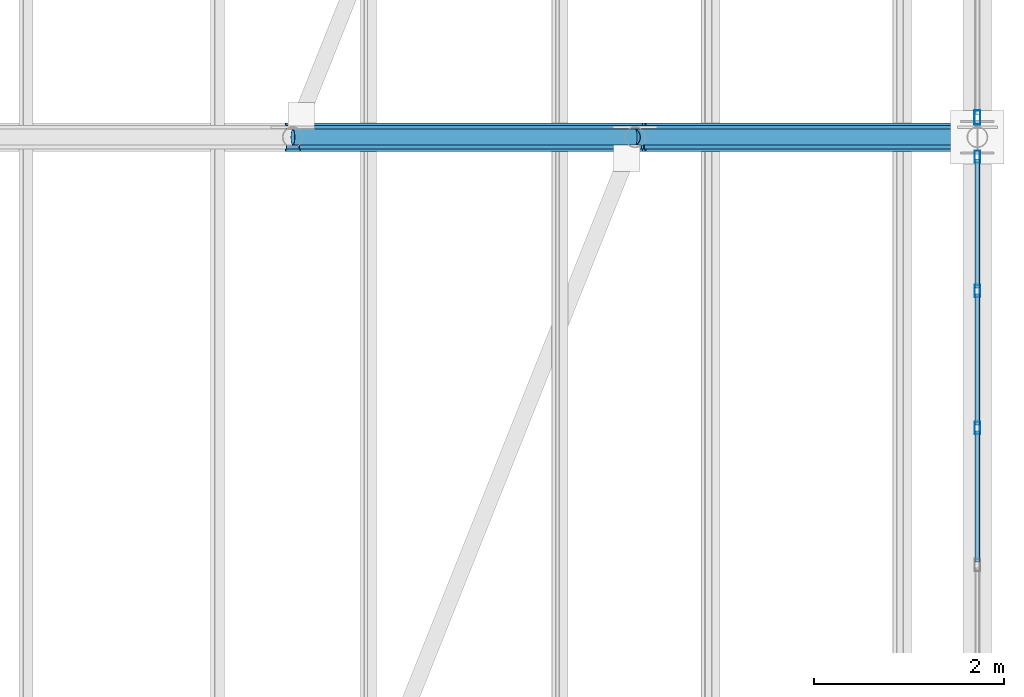
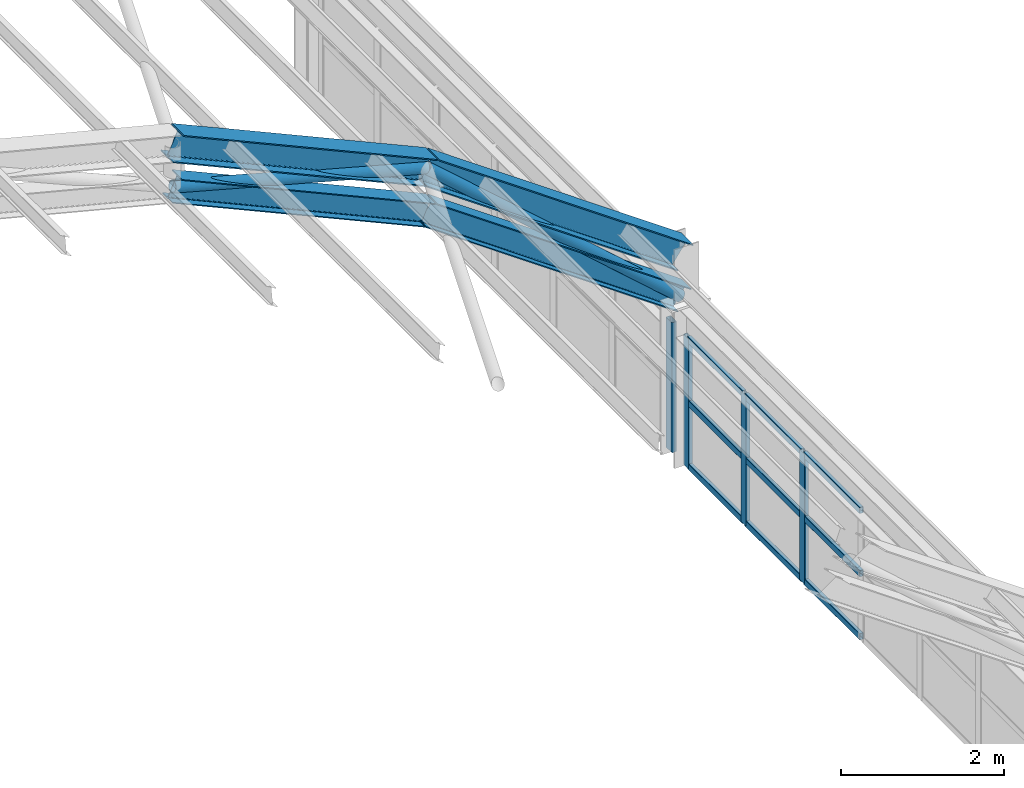
# One storey, part 80 of 121: 17 members, 2 beams, 2 elements without a shape of their own.
"""IFC4 building model written with IfcOpenShell, lengths in metres."""

from ifc_helpers import new_model, si_unit, direction, frame, origin, origin_2d, place, context, subcontext, project, spatial, hollow_rectangle, hollow_circle, i_section, extrude, material, material_profile, profile_set, type_object, element, aggregate, save


model = new_model("IFC4")

# Units and contexts
model_context = context("Model", 3, precision=1e-05, world=origin(), true_north=direction((0.0, 1.0)))
body_context = subcontext(model_context, "Body", "Model", "MODEL_VIEW")
ifc_project = project(units=[si_unit("LENGTHUNIT", "METRE"), si_unit("AREAUNIT", "SQUARE_METRE"), si_unit("VOLUMEUNIT", "CUBIC_METRE"), si_unit("PLANEANGLEUNIT", "RADIAN"), si_unit("MASSUNIT", "GRAM", prefix="KILO")], contexts=[model_context])

# Site, building, storey
site_placement = place(None, origin())
site = spatial("IfcSite", under=ifc_project, at=site_placement, CompositionType="ELEMENT")
building_placement = place(site_placement, origin())
building = spatial("IfcBuilding", under=site, at=building_placement, Name="Canglan Escarpment Cableway Terminal", CompositionType="ELEMENT")
storey_placement = place(building_placement, frame((0.0, 0.0, 24.60009765625)))
storey = spatial("IfcBuildingStorey", under=building, at=storey_placement, Name="L05", CompositionType="ELEMENT", Elevation=24.60009765625)

# Beams
ifc_material_1 = material(Name="Steel Q355B", Category="steel")
ifc_material_profile_1 = material_profile(ifc_material_1, i_section(OverallWidth=0.300048828125, OverallDepth=0.389892578125, WebThickness=0.010009765625, FlangeThickness=0.01611328125, FilletRadius=0.02197265625, at=origin_2d()), Name="HM 390x300x10x16")
ifc_profile_set_1 = profile_set([ifc_material_profile_1], Name="Steel Q355B")
beam_type = type_object("IfcBeamType", Name="BM-ARCH-TOP-HM390", PredefinedType="BEAM", material=ifc_profile_set_1)
beam_1_placement = place(storey_placement, frame((159.199951171875, 115.0, 7.23828125), z_axis=(0.911752518833, 0.0, -0.410739996108), x_axis=(0.0, 1.0, 0.0)))
element("IfcBeam", 1, at=beam_1_placement, inside=storey, type_object=beam_type, Name="Vault ROOF TRUSS arch top chord AR-TC1", PredefinedType="BEAM", context=body_context, shape_type="SweptSolid", body=[
    extrude(i_section(OverallWidth=0.300048828125, OverallDepth=0.389892578125, WebThickness=0.010009765625, FlangeThickness=0.01611328125, FilletRadius=0.02197265625, at=origin_2d()), origin(), (0.0, 0.0, 1.0), 3.948486328125),
])
beam_2_placement = place(storey_placement, frame((162.800048828125, 115.0, 5.616455078125), z_axis=(0.817731009495, 0.0, -0.575600552563), x_axis=(0.0, 1.0, 0.0)))
element("IfcBeam", 2, at=beam_2_placement, inside=storey, type_object=beam_type, Name="Vault ROOF TRUSS arch top chord AR-TC1", PredefinedType="BEAM", context=body_context, shape_type="SweptSolid", body=[
    extrude(i_section(OverallWidth=0.300048828125, OverallDepth=0.389892578125, WebThickness=0.010009765625, FlangeThickness=0.01611328125, FilletRadius=0.02197265625, at=origin_2d()), origin(), (0.0, 0.0, 1.0), 4.40234375),
])

# Curtain wall, members
ifc_material_2 = material(Name="Anodized bronze aluminium and Low-E double glazing", Category="aluminium")
curtain_wall_type = type_object("IfcCurtainWallType", Name="CW-BAY-8650x1950", PredefinedType="NOTDEFINED", material=ifc_material_2)
curtain_wall_1_placement = place(storey_placement, origin())
curtain_wall_1 = element("IfcCurtainWall", 3, at=curtain_wall_1_placement, inside=storey, type_object=curtain_wall_type, Name="Classical bay-between-piers glazed curtain wall CW-66", PredefinedType="NOTDEFINED")
ifc_material_3 = material(Name="Thermally broken anodized aluminium 6063-T6", Category="aluminium")
ifc_material_profile_2 = material_profile(ifc_material_3, hollow_rectangle(XDim=0.06005859375, YDim=0.1298828125, WallThickness=0.0029296875, InnerFilletRadius=0.0029296875, OuterFilletRadius=0.006103515625, at=origin_2d()), Name="ALU-MULL 60x130x3")
ifc_profile_set_2 = profile_set([ifc_material_profile_2], Name="Thermally broken anodized aluminium 6063-T6")
member_type_1 = type_object("IfcMemberType", Name="CWM-01", PredefinedType="MULLION", material=ifc_profile_set_2)
member_1_placement = place(storey_placement, frame((166.39990234375, 111.941650390625, 0.0), z_axis=(0.0, 0.0, 1.0), x_axis=(-1.0, 0.0, 0.0)))
member_1 = element("IfcMember", 4, at=member_1_placement, type_object=member_type_1, Name="CW-66 mullion 5", PredefinedType="MULLION", context=body_context, shape_type="SweptSolid", body=[
    extrude(hollow_rectangle(XDim=0.06005859375, YDim=0.1298828125, WallThickness=0.0029296875, InnerFilletRadius=0.0029296875, OuterFilletRadius=0.006103515625, at=origin_2d()), origin(), (0.0, 0.0, 1.0), 1.949951171875),
])
member_2_placement = place(storey_placement, frame((166.39990234375, 113.38330078125, 0.0), z_axis=(0.0, 0.0, 1.0), x_axis=(-1.0, 0.0, 0.0)))
member_2 = element("IfcMember", 5, at=member_2_placement, type_object=member_type_1, Name="CW-66 mullion 6", PredefinedType="MULLION", context=body_context, shape_type="SweptSolid", body=[
    extrude(hollow_rectangle(XDim=0.06005859375, YDim=0.1298828125, WallThickness=0.0029296875, InnerFilletRadius=0.0029296875, OuterFilletRadius=0.006103515625, at=origin_2d()), origin(), (0.0, 0.0, 1.0), 1.949951171875),
])
member_3_placement = place(storey_placement, frame((166.39990234375, 114.794921875, 0.0), z_axis=(0.0, 0.0, 1.0), x_axis=(-1.0, 0.0, 0.0)))
member_3 = element("IfcMember", 6, at=member_3_placement, type_object=member_type_1, Name="CW-66 mullion 7", PredefinedType="MULLION", context=body_context, shape_type="SweptSolid", body=[
    extrude(hollow_rectangle(XDim=0.06005859375, YDim=0.1298828125, WallThickness=0.0029296875, InnerFilletRadius=0.0029296875, OuterFilletRadius=0.006103515625, at=origin_2d()), origin(), (0.0, 0.0, 1.0), 1.949951171875),
])

# Curtain wall, member
curtain_wall_2_placement = place(storey_placement, origin())
curtain_wall_2 = element("IfcCurtainWall", 7, at=curtain_wall_2_placement, inside=storey, type_object=curtain_wall_type, Name="Classical bay-between-piers glazed curtain wall CW-66", PredefinedType="NOTDEFINED")
ifc_material_profile_3 = material_profile(ifc_material_3, hollow_rectangle(XDim=0.06494140625, YDim=0.14990234375, WallThickness=0.00341796875, InnerFilletRadius=0.00341796875, OuterFilletRadius=0.007080078125, at=origin_2d()), Name="ALU-MULL 65x150x3.5")
ifc_profile_set_3 = profile_set([ifc_material_profile_3], Name="Thermally broken anodized aluminium 6063-T6")
member_type_2 = type_object("IfcMemberType", Name="CWM-02", PredefinedType="MULLION", material=ifc_profile_set_3)
member_4_placement = place(storey_placement, frame((166.39990234375, 115.20751953125, 0.0), z_axis=(0.0, 0.0, 1.0), x_axis=(-1.0, 0.0, 0.0)))
member_4 = element("IfcMember", 8, at=member_4_placement, type_object=member_type_2, Name="CW-66 mullion 1", PredefinedType="MULLION", context=body_context, shape_type="SweptSolid", body=[
    extrude(hollow_rectangle(XDim=0.06494140625, YDim=0.14990234375, WallThickness=0.00341796875, InnerFilletRadius=0.00341796875, OuterFilletRadius=0.007080078125, at=origin_2d()), origin(), (0.0, 0.0, 1.0), 1.949951171875),
])
aggregate(curtain_wall_2, [member_4])

# Member
ifc_material_profile_4 = material_profile(ifc_material_3, hollow_rectangle(XDim=0.054931640625, YDim=0.094970703125, WallThickness=0.0029296875, InnerFilletRadius=0.0029296875, OuterFilletRadius=0.006103515625, at=origin_2d()), Name="ALU-TRAN 55x95x3")
ifc_profile_set_4 = profile_set([ifc_material_profile_4], Name="Thermally broken anodized aluminium 6063-T6")
member_type_3 = type_object("IfcMemberType", Name="CWT-01", PredefinedType="USERDEFINED", material=ifc_profile_set_4)
member_5_placement = place(storey_placement, frame((166.39990234375, 110.530029296875, 0.02734375), z_axis=(0.0, 1.0, 0.0), x_axis=(-1.0, 0.0, 0.0)))
member_5 = element("IfcMember", 9, at=member_5_placement, type_object=member_type_3, Name="CW-66 transom 4.1", ObjectType="TRANSOM", PredefinedType="USERDEFINED", context=body_context, shape_type="SweptSolid", body=[
    extrude(hollow_rectangle(XDim=0.054931640625, YDim=0.094970703125, WallThickness=0.0029296875, InnerFilletRadius=0.0029296875, OuterFilletRadius=0.006103515625, at=origin_2d()), origin(), (0.0, 0.0, 1.0), 1.381591796875),
])

member_6_placement = place(storey_placement, frame((166.39990234375, 110.530029296875, 0.974853515625), z_axis=(0.0, 1.0, 0.0), x_axis=(-1.0, 0.0, 0.0)))
member_6 = element("IfcMember", 10, at=member_6_placement, type_object=member_type_3, Name="CW-66 transom 4.2", ObjectType="TRANSOM", PredefinedType="USERDEFINED", context=body_context, shape_type="SweptSolid", body=[
    extrude(hollow_rectangle(XDim=0.054931640625, YDim=0.094970703125, WallThickness=0.0029296875, InnerFilletRadius=0.0029296875, OuterFilletRadius=0.006103515625, at=origin_2d()), origin(), (0.0, 0.0, 1.0), 1.381591796875),
])

member_7_placement = place(storey_placement, frame((166.39990234375, 110.530029296875, 1.92236328125), z_axis=(0.0, 1.0, 0.0), x_axis=(-1.0, 0.0, 0.0)))
member_7 = element("IfcMember", 11, at=member_7_placement, type_object=member_type_3, Name="CW-66 transom 4.3", ObjectType="TRANSOM", PredefinedType="USERDEFINED", context=body_context, shape_type="SweptSolid", body=[
    extrude(hollow_rectangle(XDim=0.054931640625, YDim=0.094970703125, WallThickness=0.0029296875, InnerFilletRadius=0.0029296875, OuterFilletRadius=0.006103515625, at=origin_2d()), origin(), (0.0, 0.0, 1.0), 1.381591796875),
])

member_8_placement = place(storey_placement, frame((166.39990234375, 111.9716796875, 0.02734375), z_axis=(0.0, 1.0, 0.0), x_axis=(-1.0, 0.0, 0.0)))
member_8 = element("IfcMember", 12, at=member_8_placement, type_object=member_type_3, Name="CW-66 transom 5.1", ObjectType="TRANSOM", PredefinedType="USERDEFINED", context=body_context, shape_type="SweptSolid", body=[
    extrude(hollow_rectangle(XDim=0.054931640625, YDim=0.094970703125, WallThickness=0.0029296875, InnerFilletRadius=0.0029296875, OuterFilletRadius=0.006103515625, at=origin_2d()), origin(), (0.0, 0.0, 1.0), 1.381591796875),
])

member_9_placement = place(storey_placement, frame((166.39990234375, 111.9716796875, 0.974853515625), z_axis=(0.0, 1.0, 0.0), x_axis=(-1.0, 0.0, 0.0)))
member_9 = element("IfcMember", 13, at=member_9_placement, type_object=member_type_3, Name="CW-66 transom 5.2", ObjectType="TRANSOM", PredefinedType="USERDEFINED", context=body_context, shape_type="SweptSolid", body=[
    extrude(hollow_rectangle(XDim=0.054931640625, YDim=0.094970703125, WallThickness=0.0029296875, InnerFilletRadius=0.0029296875, OuterFilletRadius=0.006103515625, at=origin_2d()), origin(), (0.0, 0.0, 1.0), 1.381591796875),
])

member_10_placement = place(storey_placement, frame((166.39990234375, 111.9716796875, 1.92236328125), z_axis=(0.0, 1.0, 0.0), x_axis=(-1.0, 0.0, 0.0)))
member_10 = element("IfcMember", 14, at=member_10_placement, type_object=member_type_3, Name="CW-66 transom 5.3", ObjectType="TRANSOM", PredefinedType="USERDEFINED", context=body_context, shape_type="SweptSolid", body=[
    extrude(hollow_rectangle(XDim=0.054931640625, YDim=0.094970703125, WallThickness=0.0029296875, InnerFilletRadius=0.0029296875, OuterFilletRadius=0.006103515625, at=origin_2d()), origin(), (0.0, 0.0, 1.0), 1.381591796875),
])

member_11_placement = place(storey_placement, frame((166.39990234375, 113.413330078125, 0.02734375), z_axis=(0.0, 1.0, 0.0), x_axis=(-1.0, 0.0, 0.0)))
member_11 = element("IfcMember", 15, at=member_11_placement, type_object=member_type_3, Name="CW-66 transom 6.1", ObjectType="TRANSOM", PredefinedType="USERDEFINED", context=body_context, shape_type="SweptSolid", body=[
    extrude(hollow_rectangle(XDim=0.054931640625, YDim=0.094970703125, WallThickness=0.0029296875, InnerFilletRadius=0.0029296875, OuterFilletRadius=0.006103515625, at=origin_2d()), origin(), (0.0, 0.0, 1.0), 1.3515625),
])

member_12_placement = place(storey_placement, frame((166.39990234375, 113.413330078125, 0.974853515625), z_axis=(0.0, 1.0, 0.0), x_axis=(-1.0, 0.0, 0.0)))
member_12 = element("IfcMember", 16, at=member_12_placement, type_object=member_type_3, Name="CW-66 transom 6.2", ObjectType="TRANSOM", PredefinedType="USERDEFINED", context=body_context, shape_type="SweptSolid", body=[
    extrude(hollow_rectangle(XDim=0.054931640625, YDim=0.094970703125, WallThickness=0.0029296875, InnerFilletRadius=0.0029296875, OuterFilletRadius=0.006103515625, at=origin_2d()), origin(), (0.0, 0.0, 1.0), 1.3515625),
])

member_13_placement = place(storey_placement, frame((166.39990234375, 113.413330078125, 1.92236328125), z_axis=(0.0, 1.0, 0.0), x_axis=(-1.0, 0.0, 0.0)))
member_13 = element("IfcMember", 17, at=member_13_placement, type_object=member_type_3, Name="CW-66 transom 6.3", ObjectType="TRANSOM", PredefinedType="USERDEFINED", context=body_context, shape_type="SweptSolid", body=[
    extrude(hollow_rectangle(XDim=0.054931640625, YDim=0.094970703125, WallThickness=0.0029296875, InnerFilletRadius=0.0029296875, OuterFilletRadius=0.006103515625, at=origin_2d()), origin(), (0.0, 0.0, 1.0), 1.3515625),
])

aggregate(curtain_wall_1, [member_1, member_2, member_3, member_5, member_6, member_7, member_8, member_9, member_10, member_11, member_12, member_13])

# Members
ifc_material_profile_5 = material_profile(ifc_material_1, i_section(OverallWidth=0.25, OverallDepth=0.340087890625, WebThickness=0.009033203125, FlangeThickness=0.013916015625, FilletRadius=0.02001953125, at=origin_2d()), Name="HM 340x250x9x14")
ifc_profile_set_5 = profile_set([ifc_material_profile_5], Name="Steel Q355B")
member_type_4 = type_object("IfcMemberType", Name="MB-ARCH-BOT-HM340", PredefinedType="CHORD", material=ifc_profile_set_5)
member_14_placement = place(storey_placement, frame((159.199951171875, 115.0, 6.58837890625), z_axis=(0.911752518833, 0.0, -0.410739996108), x_axis=(0.0, 1.0, 0.0)))
element("IfcMember", 18, at=member_14_placement, inside=storey, type_object=member_type_4, Name="Vault ROOF TRUSS arch bottom chord AR-BC1", PredefinedType="CHORD", context=body_context, shape_type="SweptSolid", body=[
    extrude(i_section(OverallWidth=0.25, OverallDepth=0.340087890625, WebThickness=0.009033203125, FlangeThickness=0.013916015625, FilletRadius=0.02001953125, at=origin_2d()), origin(), (0.0, 0.0, 1.0), 3.948486328125),
])
member_15_placement = place(storey_placement, frame((162.800048828125, 115.0, 4.966552734375), z_axis=(0.81770490607, 0.0, -0.575637634792), x_axis=(0.0, 1.0, 0.0)))
element("IfcMember", 19, at=member_15_placement, inside=storey, type_object=member_type_4, Name="Vault ROOF TRUSS arch bottom chord AR-BC1", PredefinedType="CHORD", context=body_context, shape_type="SweptSolid", body=[
    extrude(i_section(OverallWidth=0.25, OverallDepth=0.340087890625, WebThickness=0.009033203125, FlangeThickness=0.013916015625, FilletRadius=0.02001953125, at=origin_2d()), origin(), (0.0, 0.0, 1.0), 4.40234375),
])
ifc_material_profile_6 = material_profile(ifc_material_1, hollow_circle(Radius=0.084228515625, WallThickness=0.006103515625, at=origin_2d()), Name="CHS 168.3x6")
ifc_profile_set_6 = profile_set([ifc_material_profile_6], Name="Steel Q355B")
member_type_5 = type_object("IfcMemberType", Name="MB-ARCH-DIAG-CHS168", PredefinedType="BRACE", material=ifc_profile_set_6)
member_16_placement = place(storey_placement, frame((159.199951171875, 115.0, 6.58837890625), z_axis=(0.96543600217, 0.0, -0.260640222748), x_axis=(0.0, 1.0, 0.0)))
element("IfcMember", 20, at=member_16_placement, inside=storey, type_object=member_type_5, Name="Vault ROOF TRUSS web diagonal AR-DG1", PredefinedType="BRACE", context=body_context, shape_type="SweptSolid", body=[
    extrude(hollow_circle(Radius=0.084228515625, WallThickness=0.006103515625, at=origin_2d()), origin(), (0.0, 0.0, 1.0), 3.72900390625),
])
member_17_placement = place(storey_placement, frame((162.800048828125, 115.0, 5.616455078125), z_axis=(0.749038254518, 0.0, -0.662526749096), x_axis=(0.0, 1.0, 0.0)))
element("IfcMember", 21, at=member_17_placement, inside=storey, type_object=member_type_5, Name="Vault ROOF TRUSS web diagonal AR-DG1", PredefinedType="BRACE", context=body_context, shape_type="SweptSolid", body=[
    extrude(hollow_circle(Radius=0.084228515625, WallThickness=0.006103515625, at=origin_2d()), origin(), (0.0, 0.0, 1.0), 4.805908203125),
])

save(model, "model.ifc")
